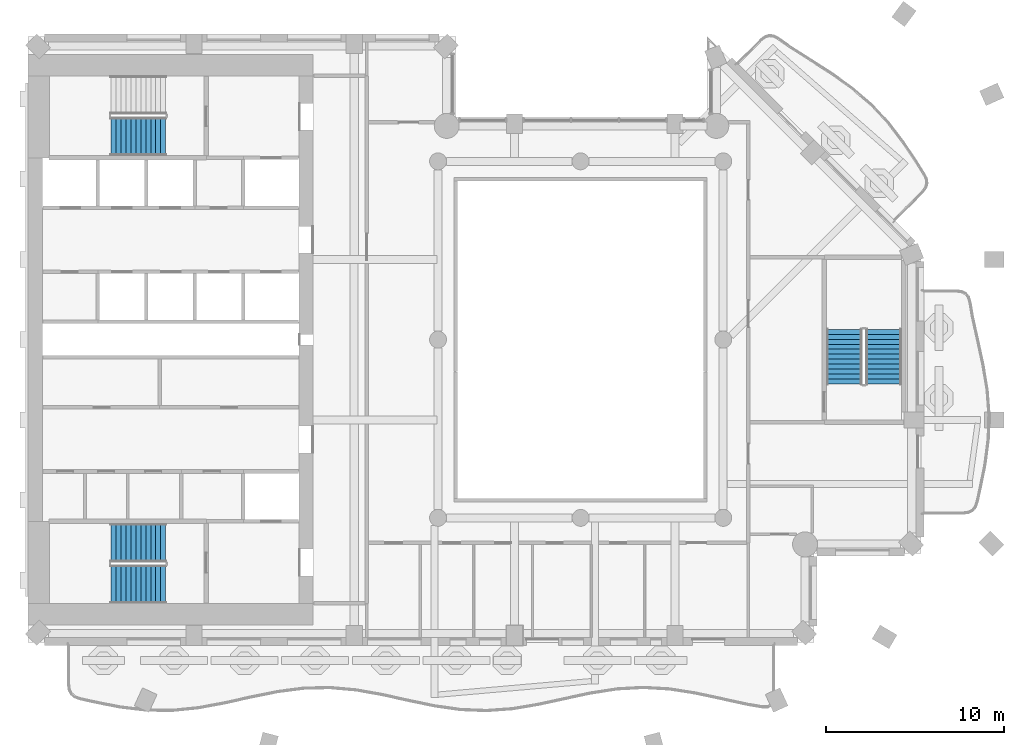
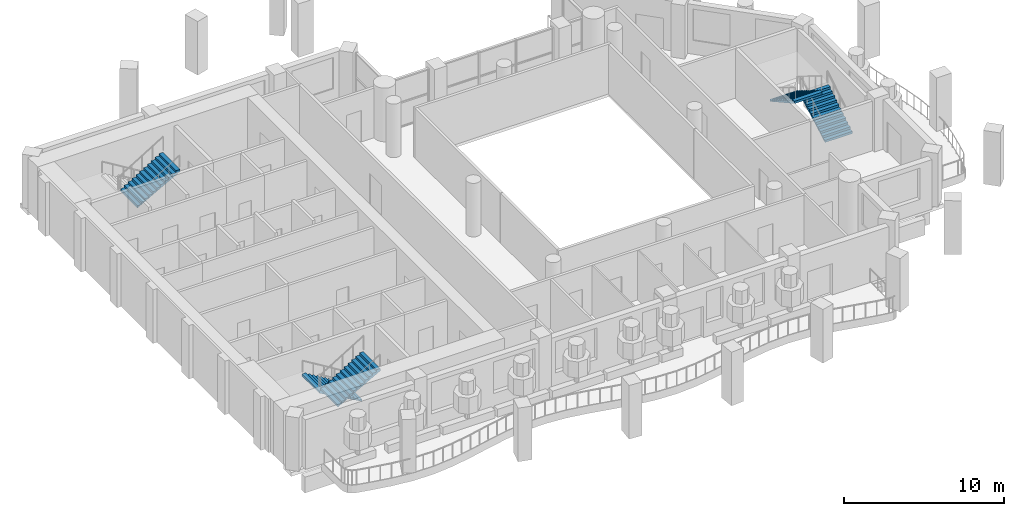
# One storey, part 8 of 15: 5 stair flights, 3 elements without a shape of their own.
"""IFC4 building model written with IfcOpenShell, lengths in metres."""

from ifc_helpers import new_model, si_unit, direction, frame, origin, place, context, subcontext, project, spatial, triangles, material, type_object, element, aggregate, save


model = new_model("IFC4")

# Units and contexts
model_context = context("Model", 3, precision=1e-05, world=origin(), true_north=direction((0.0, 1.0)))
body_context = subcontext(model_context, "Body", "Model", "MODEL_VIEW")
ifc_project = project(units=[si_unit("LENGTHUNIT", "METRE"), si_unit("AREAUNIT", "SQUARE_METRE"), si_unit("VOLUMEUNIT", "CUBIC_METRE"), si_unit("PLANEANGLEUNIT", "RADIAN"), si_unit("MASSUNIT", "GRAM", prefix="KILO")], contexts=[model_context])

# Site, building, storey
site_placement = place(None, origin())
site = spatial("IfcSite", under=ifc_project, at=site_placement, CompositionType="ELEMENT")
building_placement = place(site_placement, origin())
building = spatial("IfcBuilding", under=site, at=building_placement, Name="Cypress Arch Tower", CompositionType="ELEMENT")
storey_placement = place(building_placement, frame((0.0, 0.0, 164.60009765625)))
storey = spatial("IfcBuildingStorey", under=building, at=storey_placement, Name="L35", CompositionType="ELEMENT", Elevation=164.60009765625)

# Stair, stair flights
ifc_material_1 = material(Name="Concrete C40/50", Category="concrete")
stair_type_1 = type_object("IfcStairType", Name="Exit stair ES1708-200", PredefinedType="HALF_TURN_STAIR", material=ifc_material_1)
stair_1_placement = place(storey_placement, origin())
stair_1 = element("IfcStair", 1, at=stair_1_placement, inside=storey, type_object=stair_type_1, Name="L35 Exit stair C", PredefinedType="HALF_TURN_STAIR")
ifc_material_2 = material(Name="Concrete C40/50", Category="concrete")
stair_flight_type_1 = type_object("IfcStairFlightType", Name="Exit stair flight ES1708-200", PredefinedType="STRAIGHT", material=ifc_material_2)
stair_flight_1_placement = place(storey_placement, frame((18.0, -2.5, 0.0), z_axis=(0.0, 0.0, 1.0), x_axis=(0.0, 1.0, 0.0)))
stair_flight_1 = element("IfcStairFlight", 2, at=stair_flight_1_placement, type_object=stair_flight_type_1, Name="C flight 1", NumberOfRisers=12, NumberOfTreads=11, PredefinedType="STRAIGHT", RiserHeight=0.170833333, TreadLength=0.28, context=body_context, shape_type="Tessellation", body=[
    triangles([(0.0, -1.0, 0.0), (0.0, -1.0, 0.1708984375), (0.280029296875, -1.0, 0.1708984375), (0.280029296875, -1.0, 0.341552734375), (0.56005859375, -1.0, 0.341552734375), (0.56005859375, -1.0, 0.512451171875), (0.840087890625, -1.0, 0.512451171875), (0.840087890625, -1.0, 0.683349609375), (1.1201171875, -1.0, 0.683349609375), (1.1201171875, -1.0, 0.854248046875), (1.39990234375, -1.0, 0.854248046875), (1.39990234375, -1.0, 1.02490234375), (1.679931640625, -1.0, 1.02490234375), (1.679931640625, -1.0, 1.19580078125), (1.9599609375, -1.0, 1.19580078125), (1.9599609375, -1.0, 1.36669921875), (2.239990234375, -1.0, 1.36669921875), (2.239990234375, -1.0, 1.53759765625), (2.52001953125, -1.0, 1.53759765625), (2.52001953125, -1.0, 1.708251953125), (2.800048828125, -1.0, 1.708251953125), (2.800048828125, -1.0, 1.879150390625), (3.080078125, -1.0, 1.879150390625), (3.080078125, -1.0, 1.70361328125), (3.080078125, 1.0, 1.70361328125), (3.080078125, 1.0, 1.879150390625), (2.800048828125, 1.0, 1.879150390625), (2.800048828125, 1.0, 1.708251953125), (2.52001953125, 1.0, 1.708251953125), (2.52001953125, 1.0, 1.53759765625), (2.239990234375, 1.0, 1.53759765625), (2.239990234375, 1.0, 1.36669921875), (1.9599609375, 1.0, 1.36669921875), (1.9599609375, 1.0, 1.19580078125), (1.679931640625, 1.0, 1.19580078125), (1.679931640625, 1.0, 1.02490234375), (1.39990234375, 1.0, 1.02490234375), (1.39990234375, 1.0, 0.854248046875), (1.1201171875, 1.0, 0.854248046875), (1.1201171875, 1.0, 0.683349609375), (0.840087890625, 1.0, 0.683349609375), (0.840087890625, 1.0, 0.512451171875), (0.56005859375, 1.0, 0.512451171875), (0.56005859375, 1.0, 0.341552734375), (0.280029296875, 1.0, 0.341552734375), (0.280029296875, 1.0, 0.1708984375), (0.0, 1.0, 0.1708984375), (0.0, 1.0, 0.0), (3.080078125, 0.0, 1.879150390625), (3.080078125, 0.0, 1.70361328125), (2.800048828125, 0.0, 1.879150390625), (2.800048828125, 0.0, 1.708251953125), (2.52001953125, 0.0, 1.708251953125), (2.52001953125, 0.0, 1.53759765625), (2.239990234375, 0.0, 1.53759765625), (2.239990234375, 0.0, 1.36669921875), (1.9599609375, 0.0, 1.36669921875), (1.9599609375, 0.0, 1.19580078125), (1.679931640625, 0.0, 1.19580078125), (1.679931640625, 0.0, 1.02490234375), (1.39990234375, 0.0, 1.02490234375), (1.39990234375, 0.0, 0.854248046875), (1.1201171875, 0.0, 0.854248046875), (1.1201171875, 0.0, 0.683349609375), (0.840087890625, 0.0, 0.683349609375), (0.840087890625, 0.0, 0.512451171875), (0.56005859375, 0.0, 0.512451171875), (0.56005859375, 0.0, 0.341552734375), (0.280029296875, 0.0, 0.341552734375), (0.280029296875, 0.0, 0.1708984375), (0.0, 0.0, 0.1708984375), (0.0, 0.0, 0.0)], [[24, 23, 22], [11, 10, 9], [19, 18, 17], [17, 16, 15], [15, 14, 13], [9, 8, 7], [7, 6, 5], [3, 2, 1], [21, 20, 19], [13, 12, 11], [5, 4, 3], [24, 22, 21], [24, 21, 19], [24, 19, 17], [24, 17, 15], [24, 15, 13], [24, 13, 11], [24, 11, 9], [24, 9, 7], [24, 7, 5], [1, 24, 5], [5, 3, 1], [25, 27, 26], [38, 40, 39], [30, 32, 31], [32, 34, 33], [34, 36, 35], [40, 42, 41], [42, 44, 43], [46, 48, 47], [28, 30, 29], [36, 38, 37], [44, 46, 45], [25, 28, 27], [25, 30, 28], [25, 32, 30], [25, 34, 32], [25, 36, 34], [25, 38, 36], [25, 40, 38], [25, 42, 40], [25, 44, 42], [48, 44, 25], [44, 48, 46], [50, 49, 23], [50, 23, 24], [25, 26, 49], [25, 49, 50], [49, 51, 22], [49, 22, 23], [26, 27, 51], [26, 51, 49], [51, 52, 21], [51, 21, 22], [27, 28, 52], [27, 52, 51], [52, 53, 20], [52, 20, 21], [28, 29, 53], [28, 53, 52], [53, 54, 19], [53, 19, 20], [29, 30, 54], [29, 54, 53], [54, 55, 18], [54, 18, 19], [30, 31, 55], [30, 55, 54], [55, 56, 17], [55, 17, 18], [31, 32, 56], [31, 56, 55], [56, 57, 16], [56, 16, 17], [32, 33, 57], [32, 57, 56], [57, 58, 15], [57, 15, 16], [33, 34, 58], [33, 58, 57], [58, 59, 14], [58, 14, 15], [34, 35, 59], [34, 59, 58], [59, 60, 13], [59, 13, 14], [35, 36, 60], [35, 60, 59], [60, 61, 12], [60, 12, 13], [36, 37, 61], [36, 61, 60], [61, 62, 11], [61, 11, 12], [37, 38, 62], [37, 62, 61], [62, 63, 10], [62, 10, 11], [38, 39, 63], [38, 63, 62], [63, 64, 9], [63, 9, 10], [39, 40, 64], [39, 64, 63], [64, 65, 8], [64, 8, 9], [40, 41, 65], [40, 65, 64], [65, 66, 7], [65, 7, 8], [41, 42, 66], [41, 66, 65], [66, 67, 6], [66, 6, 7], [42, 43, 67], [42, 67, 66], [67, 68, 5], [67, 5, 6], [43, 44, 68], [43, 68, 67], [68, 69, 4], [68, 4, 5], [44, 45, 69], [44, 69, 68], [69, 70, 3], [69, 3, 4], [45, 46, 70], [45, 70, 69], [70, 71, 2], [70, 2, 3], [46, 47, 71], [46, 71, 70], [71, 72, 1], [71, 1, 2], [47, 48, 72], [47, 72, 71], [72, 50, 24], [72, 24, 1], [48, 25, 50], [48, 50, 72]], closed=True),
])
stair_flight_2_placement = place(storey_placement, frame((15.800048828125, 0.580078125, 2.0498046875), z_axis=(0.0, 0.0, 1.0), x_axis=(0.0, -1.0, 0.0)))
stair_flight_2 = element("IfcStairFlight", 3, at=stair_flight_2_placement, type_object=stair_flight_type_1, Name="C flight 2", NumberOfRisers=12, NumberOfTreads=11, PredefinedType="STRAIGHT", RiserHeight=0.170833333, TreadLength=0.28, context=body_context, shape_type="Tessellation", body=[
    triangles([(0.0, -1.0, 0.0), (0.0, -1.0, 0.1708984375), (0.280029296875, -1.0, 0.1708984375), (0.280029296875, -1.0, 0.341552734375), (0.56005859375, -1.0, 0.341552734375), (0.56005859375, -1.0, 0.512451171875), (0.840087890625, -1.0, 0.512451171875), (0.840087890625, -1.0, 0.683349609375), (1.1201171875, -1.0, 0.683349609375), (1.1201171875, -1.0, 0.854248046875), (1.39990234375, -1.0, 0.854248046875), (1.39990234375, -1.0, 1.02490234375), (1.679931640625, -1.0, 1.02490234375), (1.679931640625, -1.0, 1.19580078125), (1.9599609375, -1.0, 1.19580078125), (1.9599609375, -1.0, 1.36669921875), (2.239990234375, -1.0, 1.36669921875), (2.239990234375, -1.0, 1.53759765625), (2.52001953125, -1.0, 1.53759765625), (2.52001953125, -1.0, 1.708251953125), (2.800048828125, -1.0, 1.708251953125), (2.800048828125, -1.0, 1.879150390625), (3.080078125, -1.0, 1.879150390625), (3.080078125, -1.0, 1.70361328125), (3.080078125, 1.0, 1.70361328125), (3.080078125, 1.0, 1.879150390625), (2.800048828125, 1.0, 1.879150390625), (2.800048828125, 1.0, 1.708251953125), (2.52001953125, 1.0, 1.708251953125), (2.52001953125, 1.0, 1.53759765625), (2.239990234375, 1.0, 1.53759765625), (2.239990234375, 1.0, 1.36669921875), (1.9599609375, 1.0, 1.36669921875), (1.9599609375, 1.0, 1.19580078125), (1.679931640625, 1.0, 1.19580078125), (1.679931640625, 1.0, 1.02490234375), (1.39990234375, 1.0, 1.02490234375), (1.39990234375, 1.0, 0.854248046875), (1.1201171875, 1.0, 0.854248046875), (1.1201171875, 1.0, 0.683349609375), (0.840087890625, 1.0, 0.683349609375), (0.840087890625, 1.0, 0.512451171875), (0.56005859375, 1.0, 0.512451171875), (0.56005859375, 1.0, 0.341552734375), (0.280029296875, 1.0, 0.341552734375), (0.280029296875, 1.0, 0.1708984375), (0.0, 1.0, 0.1708984375), (0.0, 1.0, 0.0), (3.080078125, 0.0, 1.879150390625), (3.080078125, 0.0, 1.70361328125), (2.800048828125, 0.0, 1.879150390625), (2.800048828125, 0.0, 1.708251953125), (2.52001953125, 0.0, 1.708251953125), (2.52001953125, 0.0, 1.53759765625), (2.239990234375, 0.0, 1.53759765625), (2.239990234375, 0.0, 1.36669921875), (1.9599609375, 0.0, 1.36669921875), (1.9599609375, 0.0, 1.19580078125), (1.679931640625, 0.0, 1.19580078125), (1.679931640625, 0.0, 1.02490234375), (1.39990234375, 0.0, 1.02490234375), (1.39990234375, 0.0, 0.854248046875), (1.1201171875, 0.0, 0.854248046875), (1.1201171875, 0.0, 0.683349609375), (0.840087890625, 0.0, 0.683349609375), (0.840087890625, 0.0, 0.512451171875), (0.56005859375, 0.0, 0.512451171875), (0.56005859375, 0.0, 0.341552734375), (0.280029296875, 0.0, 0.341552734375), (0.280029296875, 0.0, 0.1708984375), (0.0, 0.0, 0.1708984375), (0.0, 0.0, 0.0)], [[24, 23, 22], [11, 10, 9], [19, 18, 17], [17, 16, 15], [15, 14, 13], [9, 8, 7], [7, 6, 5], [3, 2, 1], [21, 20, 19], [13, 12, 11], [5, 4, 3], [24, 22, 21], [24, 21, 19], [24, 19, 17], [24, 17, 15], [24, 15, 13], [24, 13, 11], [24, 11, 9], [24, 9, 7], [24, 7, 5], [1, 24, 5], [5, 3, 1], [25, 27, 26], [38, 40, 39], [30, 32, 31], [32, 34, 33], [34, 36, 35], [40, 42, 41], [42, 44, 43], [46, 48, 47], [28, 30, 29], [36, 38, 37], [44, 46, 45], [25, 28, 27], [25, 30, 28], [25, 32, 30], [25, 34, 32], [25, 36, 34], [25, 38, 36], [25, 40, 38], [25, 42, 40], [25, 44, 42], [48, 44, 25], [44, 48, 46], [50, 49, 23], [50, 23, 24], [25, 26, 49], [25, 49, 50], [49, 51, 22], [49, 22, 23], [26, 27, 51], [26, 51, 49], [51, 52, 21], [51, 21, 22], [27, 28, 52], [27, 52, 51], [52, 53, 20], [52, 20, 21], [28, 29, 53], [28, 53, 52], [53, 54, 19], [53, 19, 20], [29, 30, 54], [29, 54, 53], [54, 55, 18], [54, 18, 19], [30, 31, 55], [30, 55, 54], [55, 56, 17], [55, 17, 18], [31, 32, 56], [31, 56, 55], [56, 57, 16], [56, 16, 17], [32, 33, 57], [32, 57, 56], [57, 58, 15], [57, 15, 16], [33, 34, 58], [33, 58, 57], [58, 59, 14], [58, 14, 15], [34, 35, 59], [34, 59, 58], [59, 60, 13], [59, 13, 14], [35, 36, 60], [35, 60, 59], [60, 61, 12], [60, 12, 13], [36, 37, 61], [36, 61, 60], [61, 62, 11], [61, 11, 12], [37, 38, 62], [37, 62, 61], [62, 63, 10], [62, 10, 11], [38, 39, 63], [38, 63, 62], [63, 64, 9], [63, 9, 10], [39, 40, 64], [39, 64, 63], [64, 65, 8], [64, 8, 9], [40, 41, 65], [40, 65, 64], [65, 66, 7], [65, 7, 8], [41, 42, 66], [41, 66, 65], [66, 67, 6], [66, 6, 7], [42, 43, 67], [42, 67, 66], [67, 68, 5], [67, 5, 6], [43, 44, 68], [43, 68, 67], [68, 69, 4], [68, 4, 5], [44, 45, 69], [44, 69, 68], [69, 70, 3], [69, 3, 4], [45, 46, 70], [45, 70, 69], [70, 71, 2], [70, 2, 3], [46, 47, 71], [46, 71, 70], [71, 72, 1], [71, 1, 2], [47, 48, 72], [47, 72, 71], [72, 50, 24], [72, 24, 1], [48, 25, 50], [48, 50, 72]], closed=True),
])
aggregate(stair_1, [stair_flight_1, stair_flight_2])

ifc_material_3 = material(Name="Concrete C40/50", Category="concrete")
stair_type_2 = type_object("IfcStairType", Name="Exit stair ES1708-215", PredefinedType="HALF_TURN_STAIR", material=ifc_material_3)
stair_2_placement = place(storey_placement, origin())
stair_2 = element("IfcStair", 4, at=stair_2_placement, inside=storey, type_object=stair_type_2, Name="L35 Exit stair A", PredefinedType="HALF_TURN_STAIR")
ifc_material_4 = material(Name="Concrete C40/50", Category="concrete")
stair_flight_type_2 = type_object("IfcStairFlightType", Name="Exit stair flight ES1708-215", PredefinedType="STRAIGHT", material=ifc_material_4)
stair_flight_3_placement = place(storey_placement, frame((-22.27490234375, -11.39990234375, 0.0), z_axis=(0.0, 0.0, 1.0), x_axis=(-1.0, 0.0, 0.0)))
stair_flight_3 = element("IfcStairFlight", 5, at=stair_flight_3_placement, type_object=stair_flight_type_2, Name="A flight 1", NumberOfRisers=12, NumberOfTreads=11, PredefinedType="STRAIGHT", RiserHeight=0.170833333, TreadLength=0.28, context=body_context, shape_type="Tessellation", body=[
    triangles([(0.0, -1.074951171875, 0.0), (0.000244140625, -1.074951171875, 0.01904296875), (0.000244140625, -1.074951171875, 0.0380859375), (0.00048828125, -1.074951171875, 0.056884765625), (0.00048828125, -1.074951171875, 0.075927734375), (0.00048828125, -1.074951171875, 0.094970703125), (0.00048828125, -1.074951171875, 0.114013671875), (0.000244140625, -1.074951171875, 0.1328125), (0.000244140625, -1.074951171875, 0.15185546875), (0.0, -1.074951171875, 0.1708984375), (0.280029296875, -1.074951171875, 0.1708984375), (0.280029296875, -1.074951171875, 0.341552734375), (0.56005859375, -1.074951171875, 0.341552734375), (0.56005859375, -1.074951171875, 0.512451171875), (0.840087890625, -1.074951171875, 0.512451171875), (0.840087890625, -1.074951171875, 0.683349609375), (1.1201171875, -1.074951171875, 0.683349609375), (1.1201171875, -1.074951171875, 0.854248046875), (1.39990234375, -1.074951171875, 0.854248046875), (1.39990234375, -1.074951171875, 1.02490234375), (1.679931640625, -1.074951171875, 1.02490234375), (1.679931640625, -1.074951171875, 1.19580078125), (1.9599609375, -1.074951171875, 1.19580078125), (1.9599609375, -1.074951171875, 1.36669921875), (2.239990234375, -1.074951171875, 1.36669921875), (2.239990234375, -1.074951171875, 1.53759765625), (2.52001953125, -1.074951171875, 1.53759765625), (2.52001953125, -1.074951171875, 1.708251953125), (2.800048828125, -1.074951171875, 1.708251953125), (2.800048828125, -1.074951171875, 1.879150390625), (3.080078125, -1.074951171875, 1.879150390625), (3.079833984375, -1.074951171875, 1.859619140625), (3.079833984375, -1.074951171875, 1.840087890625), (3.07958984375, -1.074951171875, 1.820556640625), (3.07958984375, -1.074951171875, 1.801025390625), (3.07958984375, -1.074951171875, 1.78173828125), (3.07958984375, -1.074951171875, 1.76220703125), (3.079833984375, -1.074951171875, 1.74267578125), (3.079833984375, -1.074951171875, 1.72314453125), (3.080078125, -1.074951171875, 1.70361328125), (3.080078125, 1.074951171875, 1.70361328125), (3.079833984375, 1.074951171875, 1.72314453125), (3.079833984375, 1.074951171875, 1.74267578125), (3.07958984375, 1.074951171875, 1.76220703125), (3.07958984375, 1.074951171875, 1.78173828125), (3.07958984375, 1.074951171875, 1.801025390625), (3.07958984375, 1.074951171875, 1.820556640625), (3.079833984375, 1.074951171875, 1.840087890625), (3.079833984375, 1.074951171875, 1.859619140625), (3.080078125, 1.074951171875, 1.879150390625), (2.800048828125, 1.074951171875, 1.879150390625), (2.800048828125, 1.074951171875, 1.708251953125), (2.52001953125, 1.074951171875, 1.708251953125), (2.52001953125, 1.074951171875, 1.53759765625), (2.239990234375, 1.074951171875, 1.53759765625), (2.239990234375, 1.074951171875, 1.36669921875), (1.9599609375, 1.074951171875, 1.36669921875), (1.9599609375, 1.074951171875, 1.19580078125), (1.679931640625, 1.074951171875, 1.19580078125), (1.679931640625, 1.074951171875, 1.02490234375), (1.39990234375, 1.074951171875, 1.02490234375), (1.39990234375, 1.074951171875, 0.854248046875), (1.1201171875, 1.074951171875, 0.854248046875), (1.1201171875, 1.074951171875, 0.683349609375), (0.840087890625, 1.074951171875, 0.683349609375), (0.840087890625, 1.074951171875, 0.512451171875), (0.56005859375, 1.074951171875, 0.512451171875), (0.56005859375, 1.074951171875, 0.341552734375), (0.280029296875, 1.074951171875, 0.341552734375), (0.280029296875, 1.074951171875, 0.1708984375), (0.0, 1.074951171875, 0.1708984375), (0.000244140625, 1.074951171875, 0.15185546875), (0.000244140625, 1.074951171875, 0.1328125), (0.00048828125, 1.074951171875, 0.114013671875), (0.00048828125, 1.074951171875, 0.094970703125), (0.00048828125, 1.074951171875, 0.075927734375), (0.00048828125, 1.074951171875, 0.056884765625), (0.000244140625, 1.074951171875, 0.0380859375), (0.000244140625, 1.074951171875, 0.01904296875), (0.0, 1.074951171875, 0.0)], [[40, 39, 30], [39, 38, 30], [38, 37, 30], [37, 36, 30], [36, 35, 30], [35, 34, 30], [34, 33, 30], [33, 32, 30], [32, 31, 30], [19, 18, 17], [27, 26, 25], [25, 24, 23], [23, 22, 21], [17, 16, 15], [15, 14, 13], [10, 9, 11], [9, 8, 11], [8, 7, 11], [7, 6, 11], [6, 5, 11], [5, 4, 11], [4, 3, 11], [3, 2, 11], [2, 1, 11], [29, 28, 27], [21, 20, 19], [13, 12, 11], [40, 30, 29], [40, 29, 27], [40, 27, 25], [40, 25, 23], [40, 23, 21], [40, 21, 19], [40, 19, 17], [40, 17, 15], [40, 15, 13], [1, 40, 13], [13, 11, 1], [41, 51, 42], [42, 51, 43], [43, 51, 44], [44, 51, 45], [45, 51, 46], [46, 51, 47], [47, 51, 48], [48, 51, 49], [49, 51, 50], [62, 64, 63], [54, 56, 55], [56, 58, 57], [58, 60, 59], [64, 66, 65], [66, 68, 67], [71, 70, 72], [72, 70, 73], [73, 70, 74], [74, 70, 75], [75, 70, 76], [76, 70, 77], [77, 70, 78], [78, 70, 79], [79, 70, 80], [52, 54, 53], [60, 62, 61], [68, 70, 69], [41, 52, 51], [41, 54, 52], [41, 56, 54], [41, 58, 56], [41, 60, 58], [41, 62, 60], [41, 64, 62], [41, 66, 64], [41, 68, 66], [80, 68, 41], [68, 80, 70], [41, 42, 39], [41, 39, 40], [42, 43, 38], [42, 38, 39], [43, 44, 37], [43, 37, 38], [44, 45, 36], [44, 36, 37], [45, 46, 35], [45, 35, 36], [46, 47, 34], [46, 34, 35], [47, 48, 33], [47, 33, 34], [48, 49, 32], [48, 32, 33], [49, 50, 31], [49, 31, 32], [50, 51, 30], [50, 30, 31], [51, 52, 29], [51, 29, 30], [52, 53, 28], [52, 28, 29], [53, 54, 27], [53, 27, 28], [54, 55, 26], [54, 26, 27], [55, 56, 25], [55, 25, 26], [56, 57, 24], [56, 24, 25], [57, 58, 23], [57, 23, 24], [58, 59, 22], [58, 22, 23], [59, 60, 21], [59, 21, 22], [60, 61, 20], [60, 20, 21], [61, 62, 19], [61, 19, 20], [62, 63, 18], [62, 18, 19], [63, 64, 17], [63, 17, 18], [64, 65, 16], [64, 16, 17], [65, 66, 15], [65, 15, 16], [66, 67, 14], [66, 14, 15], [67, 68, 13], [67, 13, 14], [68, 69, 12], [68, 12, 13], [69, 70, 11], [69, 11, 12], [70, 71, 10], [70, 10, 11], [71, 72, 9], [71, 9, 10], [72, 73, 8], [72, 8, 9], [73, 74, 7], [73, 7, 8], [74, 75, 6], [74, 6, 7], [75, 76, 5], [75, 5, 6], [76, 77, 4], [76, 4, 5], [77, 78, 3], [77, 3, 4], [78, 79, 2], [78, 2, 3], [79, 80, 1], [79, 1, 2], [80, 41, 40], [80, 40, 1]], closed=True),
])
stair_flight_4_placement = place(storey_placement, frame((-25.35498046875, -13.72509765625, 2.0498046875), z_axis=(0.0, 0.0, 1.0), x_axis=(1.0, 0.0, 0.0)))
stair_flight_4 = element("IfcStairFlight", 6, at=stair_flight_4_placement, type_object=stair_flight_type_2, Name="A flight 2", NumberOfRisers=12, NumberOfTreads=11, PredefinedType="STRAIGHT", RiserHeight=0.170833333, TreadLength=0.28, context=body_context, shape_type="Tessellation", body=[
    triangles([(0.0, -1.074951171875, 0.0), (0.000244140625, -1.074951171875, 0.01904296875), (0.000244140625, -1.074951171875, 0.0380859375), (0.00048828125, -1.074951171875, 0.056884765625), (0.00048828125, -1.074951171875, 0.075927734375), (0.00048828125, -1.074951171875, 0.094970703125), (0.00048828125, -1.074951171875, 0.114013671875), (0.000244140625, -1.074951171875, 0.1328125), (0.000244140625, -1.074951171875, 0.15185546875), (0.0, -1.074951171875, 0.1708984375), (0.280029296875, -1.074951171875, 0.1708984375), (0.280029296875, -1.074951171875, 0.341552734375), (0.56005859375, -1.074951171875, 0.341552734375), (0.56005859375, -1.074951171875, 0.512451171875), (0.840087890625, -1.074951171875, 0.512451171875), (0.840087890625, -1.074951171875, 0.683349609375), (1.1201171875, -1.074951171875, 0.683349609375), (1.1201171875, -1.074951171875, 0.854248046875), (1.39990234375, -1.074951171875, 0.854248046875), (1.39990234375, -1.074951171875, 1.02490234375), (1.679931640625, -1.074951171875, 1.02490234375), (1.679931640625, -1.074951171875, 1.19580078125), (1.9599609375, -1.074951171875, 1.19580078125), (1.9599609375, -1.074951171875, 1.36669921875), (2.239990234375, -1.074951171875, 1.36669921875), (2.239990234375, -1.074951171875, 1.53759765625), (2.52001953125, -1.074951171875, 1.53759765625), (2.52001953125, -1.074951171875, 1.708251953125), (2.800048828125, -1.074951171875, 1.708251953125), (2.800048828125, -1.074951171875, 1.879150390625), (3.080078125, -1.074951171875, 1.879150390625), (3.079833984375, -1.074951171875, 1.859619140625), (3.079833984375, -1.074951171875, 1.840087890625), (3.07958984375, -1.074951171875, 1.820556640625), (3.07958984375, -1.074951171875, 1.801025390625), (3.07958984375, -1.074951171875, 1.78173828125), (3.07958984375, -1.074951171875, 1.76220703125), (3.079833984375, -1.074951171875, 1.74267578125), (3.079833984375, -1.074951171875, 1.72314453125), (3.080078125, -1.074951171875, 1.70361328125), (3.080078125, 1.074951171875, 1.70361328125), (3.079833984375, 1.074951171875, 1.72314453125), (3.079833984375, 1.074951171875, 1.74267578125), (3.07958984375, 1.074951171875, 1.76220703125), (3.07958984375, 1.074951171875, 1.78173828125), (3.07958984375, 1.074951171875, 1.801025390625), (3.07958984375, 1.074951171875, 1.820556640625), (3.079833984375, 1.074951171875, 1.840087890625), (3.079833984375, 1.074951171875, 1.859619140625), (3.080078125, 1.074951171875, 1.879150390625), (2.800048828125, 1.074951171875, 1.879150390625), (2.800048828125, 1.074951171875, 1.708251953125), (2.52001953125, 1.074951171875, 1.708251953125), (2.52001953125, 1.074951171875, 1.53759765625), (2.239990234375, 1.074951171875, 1.53759765625), (2.239990234375, 1.074951171875, 1.36669921875), (1.9599609375, 1.074951171875, 1.36669921875), (1.9599609375, 1.074951171875, 1.19580078125), (1.679931640625, 1.074951171875, 1.19580078125), (1.679931640625, 1.074951171875, 1.02490234375), (1.39990234375, 1.074951171875, 1.02490234375), (1.39990234375, 1.074951171875, 0.854248046875), (1.1201171875, 1.074951171875, 0.854248046875), (1.1201171875, 1.074951171875, 0.683349609375), (0.840087890625, 1.074951171875, 0.683349609375), (0.840087890625, 1.074951171875, 0.512451171875), (0.56005859375, 1.074951171875, 0.512451171875), (0.56005859375, 1.074951171875, 0.341552734375), (0.280029296875, 1.074951171875, 0.341552734375), (0.280029296875, 1.074951171875, 0.1708984375), (0.0, 1.074951171875, 0.1708984375), (0.000244140625, 1.074951171875, 0.15185546875), (0.000244140625, 1.074951171875, 0.1328125), (0.00048828125, 1.074951171875, 0.114013671875), (0.00048828125, 1.074951171875, 0.094970703125), (0.00048828125, 1.074951171875, 0.075927734375), (0.00048828125, 1.074951171875, 0.056884765625), (0.000244140625, 1.074951171875, 0.0380859375), (0.000244140625, 1.074951171875, 0.01904296875), (0.0, 1.074951171875, 0.0)], [[40, 39, 30], [39, 38, 30], [38, 37, 30], [37, 36, 30], [36, 35, 30], [35, 34, 30], [34, 33, 30], [33, 32, 30], [32, 31, 30], [19, 18, 17], [27, 26, 25], [25, 24, 23], [23, 22, 21], [17, 16, 15], [15, 14, 13], [10, 9, 11], [9, 8, 11], [8, 7, 11], [7, 6, 11], [6, 5, 11], [5, 4, 11], [4, 3, 11], [3, 2, 11], [2, 1, 11], [29, 28, 27], [21, 20, 19], [13, 12, 11], [40, 30, 29], [40, 29, 27], [40, 27, 25], [40, 25, 23], [40, 23, 21], [40, 21, 19], [40, 19, 17], [40, 17, 15], [40, 15, 13], [1, 40, 13], [13, 11, 1], [41, 51, 42], [42, 51, 43], [43, 51, 44], [44, 51, 45], [45, 51, 46], [46, 51, 47], [47, 51, 48], [48, 51, 49], [49, 51, 50], [62, 64, 63], [54, 56, 55], [56, 58, 57], [58, 60, 59], [64, 66, 65], [66, 68, 67], [71, 70, 72], [72, 70, 73], [73, 70, 74], [74, 70, 75], [75, 70, 76], [76, 70, 77], [77, 70, 78], [78, 70, 79], [79, 70, 80], [52, 54, 53], [60, 62, 61], [68, 70, 69], [41, 52, 51], [41, 54, 52], [41, 56, 54], [41, 58, 56], [41, 60, 58], [41, 62, 60], [41, 64, 62], [41, 66, 64], [41, 68, 66], [80, 68, 41], [68, 80, 70], [41, 42, 39], [41, 39, 40], [42, 43, 38], [42, 38, 39], [43, 44, 37], [43, 37, 38], [44, 45, 36], [44, 36, 37], [45, 46, 35], [45, 35, 36], [46, 47, 34], [46, 34, 35], [47, 48, 33], [47, 33, 34], [48, 49, 32], [48, 32, 33], [49, 50, 31], [49, 31, 32], [50, 51, 30], [50, 30, 31], [51, 52, 29], [51, 29, 30], [52, 53, 28], [52, 28, 29], [53, 54, 27], [53, 27, 28], [54, 55, 26], [54, 26, 27], [55, 56, 25], [55, 25, 26], [56, 57, 24], [56, 24, 25], [57, 58, 23], [57, 23, 24], [58, 59, 22], [58, 22, 23], [59, 60, 21], [59, 21, 22], [60, 61, 20], [60, 20, 21], [61, 62, 19], [61, 19, 20], [62, 63, 18], [62, 18, 19], [63, 64, 17], [63, 17, 18], [64, 65, 16], [64, 16, 17], [65, 66, 15], [65, 15, 16], [66, 67, 14], [66, 14, 15], [67, 68, 13], [67, 13, 14], [68, 69, 12], [68, 12, 13], [69, 70, 11], [69, 11, 12], [70, 71, 10], [70, 10, 11], [71, 72, 9], [71, 9, 10], [72, 73, 8], [72, 8, 9], [73, 74, 7], [73, 7, 8], [74, 75, 6], [74, 6, 7], [75, 76, 5], [75, 5, 6], [76, 77, 4], [76, 4, 5], [77, 78, 3], [77, 3, 4], [78, 79, 2], [78, 2, 3], [79, 80, 1], [79, 1, 2], [80, 41, 40], [80, 40, 1]], closed=True),
])
aggregate(stair_2, [stair_flight_3, stair_flight_4])

# Stair, stair flight
stair_3_placement = place(storey_placement, origin())
stair_3 = element("IfcStair", 7, at=stair_3_placement, inside=storey, type_object=stair_type_2, Name="L35 Exit stair B", PredefinedType="HALF_TURN_STAIR")
stair_flight_5_placement = place(storey_placement, frame((-25.35498046875, 11.39990234375, 2.0498046875), z_axis=(0.0, 0.0, 1.0), x_axis=(1.0, 0.0, 0.0)))
stair_flight_5 = element("IfcStairFlight", 8, at=stair_flight_5_placement, type_object=stair_flight_type_2, Name="B flight 2", NumberOfRisers=12, NumberOfTreads=11, PredefinedType="STRAIGHT", RiserHeight=0.170833333, TreadLength=0.28, context=body_context, shape_type="Tessellation", body=[
    triangles([(0.0, -1.074951171875, 0.0), (0.000244140625, -1.074951171875, 0.01904296875), (0.000244140625, -1.074951171875, 0.0380859375), (0.00048828125, -1.074951171875, 0.056884765625), (0.00048828125, -1.074951171875, 0.075927734375), (0.00048828125, -1.074951171875, 0.094970703125), (0.00048828125, -1.074951171875, 0.114013671875), (0.000244140625, -1.074951171875, 0.1328125), (0.000244140625, -1.074951171875, 0.15185546875), (0.0, -1.074951171875, 0.1708984375), (0.280029296875, -1.074951171875, 0.1708984375), (0.280029296875, -1.074951171875, 0.341552734375), (0.56005859375, -1.074951171875, 0.341552734375), (0.56005859375, -1.074951171875, 0.512451171875), (0.840087890625, -1.074951171875, 0.512451171875), (0.840087890625, -1.074951171875, 0.683349609375), (1.1201171875, -1.074951171875, 0.683349609375), (1.1201171875, -1.074951171875, 0.854248046875), (1.39990234375, -1.074951171875, 0.854248046875), (1.39990234375, -1.074951171875, 1.02490234375), (1.679931640625, -1.074951171875, 1.02490234375), (1.679931640625, -1.074951171875, 1.19580078125), (1.9599609375, -1.074951171875, 1.19580078125), (1.9599609375, -1.074951171875, 1.36669921875), (2.239990234375, -1.074951171875, 1.36669921875), (2.239990234375, -1.074951171875, 1.53759765625), (2.52001953125, -1.074951171875, 1.53759765625), (2.52001953125, -1.074951171875, 1.708251953125), (2.800048828125, -1.074951171875, 1.708251953125), (2.800048828125, -1.074951171875, 1.879150390625), (3.080078125, -1.074951171875, 1.879150390625), (3.079833984375, -1.074951171875, 1.859619140625), (3.079833984375, -1.074951171875, 1.840087890625), (3.07958984375, -1.074951171875, 1.820556640625), (3.07958984375, -1.074951171875, 1.801025390625), (3.07958984375, -1.074951171875, 1.78173828125), (3.07958984375, -1.074951171875, 1.76220703125), (3.079833984375, -1.074951171875, 1.74267578125), (3.079833984375, -1.074951171875, 1.72314453125), (3.080078125, -1.074951171875, 1.70361328125), (3.080078125, 1.074951171875, 1.70361328125), (3.079833984375, 1.074951171875, 1.72314453125), (3.079833984375, 1.074951171875, 1.74267578125), (3.07958984375, 1.074951171875, 1.76220703125), (3.07958984375, 1.074951171875, 1.78173828125), (3.07958984375, 1.074951171875, 1.801025390625), (3.07958984375, 1.074951171875, 1.820556640625), (3.079833984375, 1.074951171875, 1.840087890625), (3.079833984375, 1.074951171875, 1.859619140625), (3.080078125, 1.074951171875, 1.879150390625), (2.800048828125, 1.074951171875, 1.879150390625), (2.800048828125, 1.074951171875, 1.708251953125), (2.52001953125, 1.074951171875, 1.708251953125), (2.52001953125, 1.074951171875, 1.53759765625), (2.239990234375, 1.074951171875, 1.53759765625), (2.239990234375, 1.074951171875, 1.36669921875), (1.9599609375, 1.074951171875, 1.36669921875), (1.9599609375, 1.074951171875, 1.19580078125), (1.679931640625, 1.074951171875, 1.19580078125), (1.679931640625, 1.074951171875, 1.02490234375), (1.39990234375, 1.074951171875, 1.02490234375), (1.39990234375, 1.074951171875, 0.854248046875), (1.1201171875, 1.074951171875, 0.854248046875), (1.1201171875, 1.074951171875, 0.683349609375), (0.840087890625, 1.074951171875, 0.683349609375), (0.840087890625, 1.074951171875, 0.512451171875), (0.56005859375, 1.074951171875, 0.512451171875), (0.56005859375, 1.074951171875, 0.341552734375), (0.280029296875, 1.074951171875, 0.341552734375), (0.280029296875, 1.074951171875, 0.1708984375), (0.0, 1.074951171875, 0.1708984375), (0.000244140625, 1.074951171875, 0.15185546875), (0.000244140625, 1.074951171875, 0.1328125), (0.00048828125, 1.074951171875, 0.114013671875), (0.00048828125, 1.074951171875, 0.094970703125), (0.00048828125, 1.074951171875, 0.075927734375), (0.00048828125, 1.074951171875, 0.056884765625), (0.000244140625, 1.074951171875, 0.0380859375), (0.000244140625, 1.074951171875, 0.01904296875), (0.0, 1.074951171875, 0.0)], [[40, 39, 30], [39, 38, 30], [38, 37, 30], [37, 36, 30], [36, 35, 30], [35, 34, 30], [34, 33, 30], [33, 32, 30], [32, 31, 30], [19, 18, 17], [27, 26, 25], [25, 24, 23], [23, 22, 21], [17, 16, 15], [15, 14, 13], [10, 9, 11], [9, 8, 11], [8, 7, 11], [7, 6, 11], [6, 5, 11], [5, 4, 11], [4, 3, 11], [3, 2, 11], [2, 1, 11], [29, 28, 27], [21, 20, 19], [13, 12, 11], [40, 30, 29], [40, 29, 27], [40, 27, 25], [40, 25, 23], [40, 23, 21], [40, 21, 19], [40, 19, 17], [40, 17, 15], [40, 15, 13], [1, 40, 13], [13, 11, 1], [41, 51, 42], [42, 51, 43], [43, 51, 44], [44, 51, 45], [45, 51, 46], [46, 51, 47], [47, 51, 48], [48, 51, 49], [49, 51, 50], [62, 64, 63], [54, 56, 55], [56, 58, 57], [58, 60, 59], [64, 66, 65], [66, 68, 67], [71, 70, 72], [72, 70, 73], [73, 70, 74], [74, 70, 75], [75, 70, 76], [76, 70, 77], [77, 70, 78], [78, 70, 79], [79, 70, 80], [52, 54, 53], [60, 62, 61], [68, 70, 69], [41, 52, 51], [41, 54, 52], [41, 56, 54], [41, 58, 56], [41, 60, 58], [41, 62, 60], [41, 64, 62], [41, 66, 64], [41, 68, 66], [80, 68, 41], [68, 80, 70], [41, 42, 39], [41, 39, 40], [42, 43, 38], [42, 38, 39], [43, 44, 37], [43, 37, 38], [44, 45, 36], [44, 36, 37], [45, 46, 35], [45, 35, 36], [46, 47, 34], [46, 34, 35], [47, 48, 33], [47, 33, 34], [48, 49, 32], [48, 32, 33], [49, 50, 31], [49, 31, 32], [50, 51, 30], [50, 30, 31], [51, 52, 29], [51, 29, 30], [52, 53, 28], [52, 28, 29], [53, 54, 27], [53, 27, 28], [54, 55, 26], [54, 26, 27], [55, 56, 25], [55, 25, 26], [56, 57, 24], [56, 24, 25], [57, 58, 23], [57, 23, 24], [58, 59, 22], [58, 22, 23], [59, 60, 21], [59, 21, 22], [60, 61, 20], [60, 20, 21], [61, 62, 19], [61, 19, 20], [62, 63, 18], [62, 18, 19], [63, 64, 17], [63, 17, 18], [64, 65, 16], [64, 16, 17], [65, 66, 15], [65, 15, 16], [66, 67, 14], [66, 14, 15], [67, 68, 13], [67, 13, 14], [68, 69, 12], [68, 12, 13], [69, 70, 11], [69, 11, 12], [70, 71, 10], [70, 10, 11], [71, 72, 9], [71, 9, 10], [72, 73, 8], [72, 8, 9], [73, 74, 7], [73, 7, 8], [74, 75, 6], [74, 6, 7], [75, 76, 5], [75, 5, 6], [76, 77, 4], [76, 4, 5], [77, 78, 3], [77, 3, 4], [78, 79, 2], [78, 2, 3], [79, 80, 1], [79, 1, 2], [80, 41, 40], [80, 40, 1]], closed=True),
])
aggregate(stair_3, [stair_flight_5])

save(model, "model.ifc")
